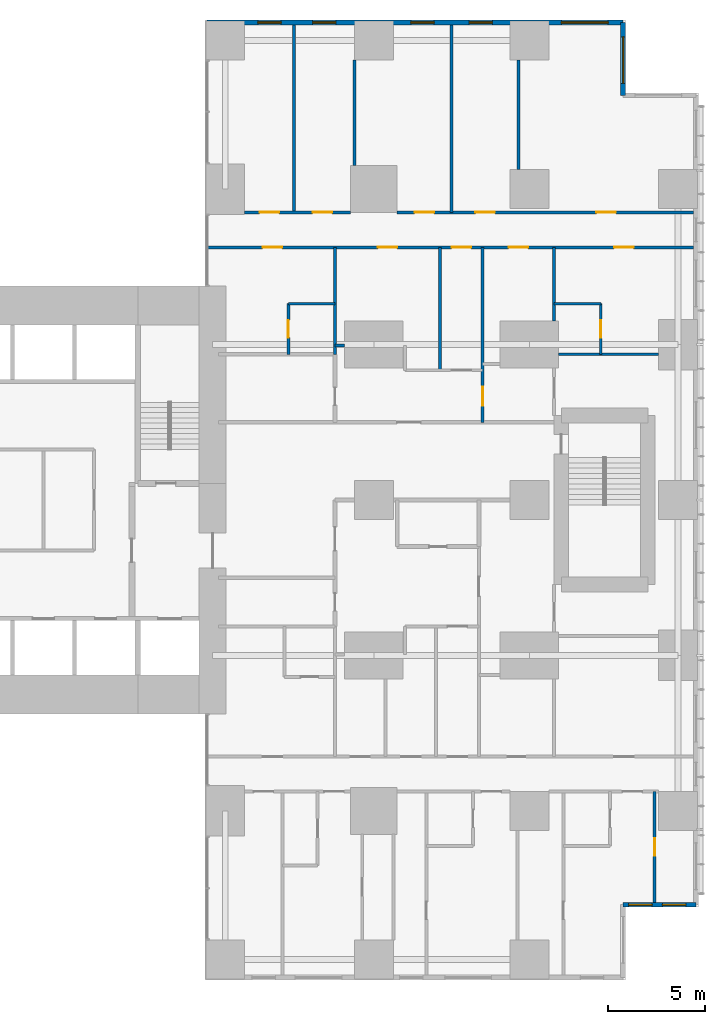
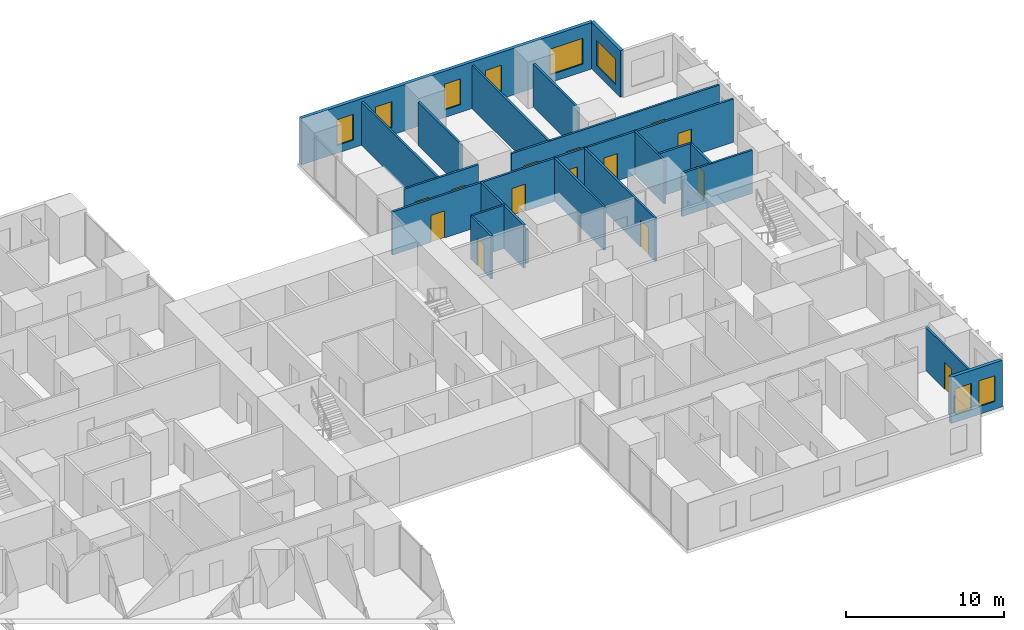
# One storey, part 18 of 20: 21 walls, 14 doors, 8 windows, 22 openings.
"""IFC4 building model written with IfcOpenShell, lengths in metres."""

from ifc_helpers import new_model, si_unit, direction, frame, frame_2d, origin, place, context, subcontext, project, spatial, rectangle, extrude, material, layer, layer_set, type_object, element, fill, save


model = new_model("IFC4")

# Units and contexts
model_context = context("Model", 3, precision=1e-05, world=origin(), true_north=direction((0.0, 1.0)))
body_context = subcontext(model_context, "Body", "Model", "MODEL_VIEW")
ifc_project = project(units=[si_unit("LENGTHUNIT", "METRE"), si_unit("AREAUNIT", "SQUARE_METRE"), si_unit("VOLUMEUNIT", "CUBIC_METRE"), si_unit("PLANEANGLEUNIT", "RADIAN"), si_unit("MASSUNIT", "GRAM", prefix="KILO")], contexts=[model_context])

# Site, building, storey
site_placement = place(None, origin())
site = spatial("IfcSite", under=ifc_project, at=site_placement, CompositionType="ELEMENT")
building_placement = place(site_placement, origin())
building = spatial("IfcBuilding", under=site, at=building_placement, Name="Cleftline Residences", CompositionType="ELEMENT")
storey_placement = place(building_placement, frame((0.0, 0.0, 54.800048828125)))
storey = spatial("IfcBuildingStorey", under=building, at=storey_placement, Name="L13", CompositionType="ELEMENT", Elevation=54.800048828125)

# Wall, openings, windows
ifc_material_1 = material(Name="Rendered reinforced concrete blockwork", Category="masonry")
ifc_layer_1 = layer(ifc_material_1, 0.25)
ifc_layer_set_1 = layer_set([ifc_layer_1], Name="EXTERNAL WALL 250")
wall_type_1 = type_object("IfcWallType", Name="EXTERNAL WALL 250", PredefinedType="SOLIDWALL", material=ifc_layer_set_1)
wall_1_placement = place(storey_placement, frame((62.824951171875, 3.175048828125, 0.0), z_axis=(0.0, 0.0, 1.0), x_axis=(1.0, 0.0, 0.0)))
wall_1 = element("IfcWall", 1, at=wall_1_placement, inside=storey, type_object=wall_type_1, Name="External wall", PredefinedType="SOLIDWALL", context=body_context, shape_type="SweptSolid", body=[
    extrude(rectangle(XDim=3.75, YDim=0.25, at=frame_2d((1.875, 0.0))), origin(), (0.0, 0.0, 1.0), 3.599853515625),
])
opening_1_placement = place(wall_1_placement, frame((0.28759765625, 0.0, 0.60009765625)))
opening_1 = element("IfcOpeningElement", 2, at=opening_1_placement, cuts=wall_1, Name="Opening W8", PredefinedType="OPENING", context=body_context, shape_type="SweptSolid", body=[
    extrude(rectangle(XDim=1.199951171875, YDim=2.0, at=frame_2d((0.60009765625, 1.0))), frame((0.0, 0.135009765625, 0.0), z_axis=(0.0, -1.0, 0.0), x_axis=(1.0, 0.0, 0.0)), (0.0, 0.0, 1.0), 0.27001953125),
])
opening_2_placement = place(wall_1_placement, frame((2.02490234375, 0.0, 0.60009765625)))
opening_2 = element("IfcOpeningElement", 3, at=opening_2_placement, cuts=wall_1, Name="Opening W8", PredefinedType="OPENING", context=body_context, shape_type="SweptSolid", body=[
    extrude(rectangle(XDim=1.199951171875, YDim=2.0, at=frame_2d((0.60009765625, 1.0))), frame((0.0, 0.135009765625, 0.0), z_axis=(0.0, -1.0, 0.0), x_axis=(1.0, 0.0, 0.0)), (0.0, 0.0, 1.0), 0.27001953125),
])
ifc_material_2 = material(Name="Aluminium frame, clear double glazing", Category="aluminium")
window_type_1 = type_object("IfcWindowType", Name="WINDOW 1200X2000", PartitioningType="DOUBLE_PANEL_VERTICAL", PredefinedType="WINDOW", material=ifc_material_2)
window_1_placement = place(opening_1_placement, origin())
window_1 = element("IfcWindow", 4, at=window_1_placement, inside=storey, type_object=window_type_1, Name="Window", OverallHeight=2.0, OverallWidth=1.199951171875, PartitioningType="SINGLE_PANEL", PredefinedType="WINDOW", context=body_context, shape_type="SweptSolid", body=[
    extrude(rectangle(XDim=1.199951171875, YDim=2.0, at=frame_2d((0.60009765625, 1.0))), frame((0.0, 0.030029296875, 0.0), z_axis=(0.0, -1.0, 0.0), x_axis=(1.0, 0.0, 0.0)), (0.0, 0.0, 1.0), 0.06005859375),
])
fill(opening_1, window_1)
window_2_placement = place(opening_2_placement, origin())
window_2 = element("IfcWindow", 5, at=window_2_placement, inside=storey, type_object=window_type_1, Name="Window", OverallHeight=2.0, OverallWidth=1.199951171875, PartitioningType="SINGLE_PANEL", PredefinedType="WINDOW", context=body_context, shape_type="SweptSolid", body=[
    extrude(rectangle(XDim=1.199951171875, YDim=2.0, at=frame_2d((0.60009765625, 1.0))), frame((0.0, 0.030029296875, 0.0), z_axis=(0.0, -1.0, 0.0), x_axis=(1.0, 0.0, 0.0)), (0.0, 0.0, 1.0), 0.06005859375),
])
fill(opening_2, window_2)

# Wall, opening, window
wall_2_placement = place(storey_placement, frame((62.824951171875, 44.824951171875, 0.0), z_axis=(0.0, 0.0, 1.0), x_axis=(0.0, 1.0, 0.0)))
wall_2 = element("IfcWall", 6, at=wall_2_placement, inside=storey, type_object=wall_type_1, Name="External wall", PredefinedType="SOLIDWALL", context=body_context, shape_type="SweptSolid", body=[
    extrude(rectangle(XDim=3.75, YDim=0.25, at=frame_2d((1.875, 0.0))), origin(), (0.0, 0.0, 1.0), 3.599853515625),
])
opening_3_placement = place(wall_2_placement, frame((0.612548828125, 0.0, 0.60009765625)))
opening_3 = element("IfcOpeningElement", 7, at=opening_3_placement, cuts=wall_2, Name="Opening W6", PredefinedType="OPENING", context=body_context, shape_type="SweptSolid", body=[
    extrude(rectangle(XDim=2.39990234375, YDim=2.0, at=frame_2d((1.199951171875, 1.0))), frame((0.0, 0.135009765625, 0.0), z_axis=(0.0, -1.0, 0.0), x_axis=(1.0, 0.0, 0.0)), (0.0, 0.0, 1.0), 0.27001953125),
])
ifc_material_3 = material(Name="Aluminium frame, clear double glazing", Category="aluminium")
window_type_2 = type_object("IfcWindowType", Name="WINDOW 2400X2000", PartitioningType="DOUBLE_PANEL_VERTICAL", PredefinedType="WINDOW", material=ifc_material_3)
window_3_placement = place(opening_3_placement, origin())
window_3 = element("IfcWindow", 8, at=window_3_placement, inside=storey, type_object=window_type_2, Name="Window", OverallHeight=2.0, OverallWidth=2.39990234375, PartitioningType="SINGLE_PANEL", PredefinedType="WINDOW", context=body_context, shape_type="SweptSolid", body=[
    extrude(rectangle(XDim=2.39990234375, YDim=2.0, at=frame_2d((1.199951171875, 1.0))), frame((0.0, 0.030029296875, 0.0), z_axis=(0.0, -1.0, 0.0), x_axis=(1.0, 0.0, 0.0)), (0.0, 0.0, 1.0), 0.06005859375),
])
fill(opening_3, window_3)

# Wall, openings, windows
wall_3_placement = place(storey_placement, frame((62.824951171875, 48.574951171875, 0.0), z_axis=(0.0, 0.0, 1.0), x_axis=(-1.0, 0.0, 0.0)))
wall_3 = element("IfcWall", 9, at=wall_3_placement, inside=storey, type_object=wall_type_1, Name="External wall", PredefinedType="SOLIDWALL", context=body_context, shape_type="SweptSolid", body=[
    extrude(rectangle(XDim=21.39990234375, YDim=0.25, at=frame_2d((10.699951171875, 0.0))), origin(), (0.0, 0.0, 1.0), 3.599853515625),
])
opening_4_placement = place(wall_3_placement, frame((0.77490234375, 0.0, 0.60009765625)))
opening_4 = element("IfcOpeningElement", 10, at=opening_4_placement, cuts=wall_3, Name="Opening W6", PredefinedType="OPENING", context=body_context, shape_type="SweptSolid", body=[
    extrude(rectangle(XDim=2.39990234375, YDim=2.0, at=frame_2d((1.199951171875, 1.0))), frame((0.0, 0.135009765625, 0.0), z_axis=(0.0, -1.0, 0.0), x_axis=(1.0, 0.0, 0.0)), (0.0, 0.0, 1.0), 0.27001953125),
])
opening_5_placement = place(wall_3_placement, frame((6.72509765625, 0.0, 0.60009765625)))
opening_5 = element("IfcOpeningElement", 11, at=opening_5_placement, cuts=wall_3, Name="Opening W8", PredefinedType="OPENING", context=body_context, shape_type="SweptSolid", body=[
    extrude(rectangle(XDim=1.199951171875, YDim=2.0, at=frame_2d((0.60009765625, 1.0))), frame((0.0, 0.135009765625, 0.0), z_axis=(0.0, -1.0, 0.0), x_axis=(1.0, 0.0, 0.0)), (0.0, 0.0, 1.0), 0.27001953125),
])
opening_6_placement = place(wall_3_placement, frame((9.72509765625, 0.0, 0.60009765625)))
opening_6 = element("IfcOpeningElement", 12, at=opening_6_placement, cuts=wall_3, Name="Opening W8", PredefinedType="OPENING", context=body_context, shape_type="SweptSolid", body=[
    extrude(rectangle(XDim=1.199951171875, YDim=2.0, at=frame_2d((0.60009765625, 1.0))), frame((0.0, 0.135009765625, 0.0), z_axis=(0.0, -1.0, 0.0), x_axis=(1.0, 0.0, 0.0)), (0.0, 0.0, 1.0), 0.27001953125),
])
opening_7_placement = place(wall_3_placement, frame((14.77490234375, 0.0, 0.60009765625)))
opening_7 = element("IfcOpeningElement", 13, at=opening_7_placement, cuts=wall_3, Name="Opening W8", PredefinedType="OPENING", context=body_context, shape_type="SweptSolid", body=[
    extrude(rectangle(XDim=1.199951171875, YDim=2.0, at=frame_2d((0.60009765625, 1.0))), frame((0.0, 0.135009765625, 0.0), z_axis=(0.0, -1.0, 0.0), x_axis=(1.0, 0.0, 0.0)), (0.0, 0.0, 1.0), 0.27001953125),
])
opening_8_placement = place(wall_3_placement, frame((17.60009765625, 0.0, 0.60009765625)))
opening_8 = element("IfcOpeningElement", 14, at=opening_8_placement, cuts=wall_3, Name="Opening W8", PredefinedType="OPENING", context=body_context, shape_type="SweptSolid", body=[
    extrude(rectangle(XDim=1.199951171875, YDim=2.0, at=frame_2d((0.60009765625, 1.0))), frame((0.0, 0.135009765625, 0.0), z_axis=(0.0, -1.0, 0.0), x_axis=(1.0, 0.0, 0.0)), (0.0, 0.0, 1.0), 0.27001953125),
])
window_4_placement = place(opening_5_placement, origin())
window_4 = element("IfcWindow", 15, at=window_4_placement, inside=storey, type_object=window_type_1, Name="Window", OverallHeight=2.0, OverallWidth=1.199951171875, PartitioningType="SINGLE_PANEL", PredefinedType="WINDOW", context=body_context, shape_type="SweptSolid", body=[
    extrude(rectangle(XDim=1.199951171875, YDim=2.0, at=frame_2d((0.60009765625, 1.0))), frame((0.0, 0.030029296875, 0.0), z_axis=(0.0, -1.0, 0.0), x_axis=(1.0, 0.0, 0.0)), (0.0, 0.0, 1.0), 0.06005859375),
])
fill(opening_5, window_4)
window_5_placement = place(opening_6_placement, origin())
window_5 = element("IfcWindow", 16, at=window_5_placement, inside=storey, type_object=window_type_1, Name="Window", OverallHeight=2.0, OverallWidth=1.199951171875, PartitioningType="SINGLE_PANEL", PredefinedType="WINDOW", context=body_context, shape_type="SweptSolid", body=[
    extrude(rectangle(XDim=1.199951171875, YDim=2.0, at=frame_2d((0.60009765625, 1.0))), frame((0.0, 0.030029296875, 0.0), z_axis=(0.0, -1.0, 0.0), x_axis=(1.0, 0.0, 0.0)), (0.0, 0.0, 1.0), 0.06005859375),
])
fill(opening_6, window_5)
window_6_placement = place(opening_7_placement, origin())
window_6 = element("IfcWindow", 17, at=window_6_placement, inside=storey, type_object=window_type_1, Name="Window", OverallHeight=2.0, OverallWidth=1.199951171875, PartitioningType="SINGLE_PANEL", PredefinedType="WINDOW", context=body_context, shape_type="SweptSolid", body=[
    extrude(rectangle(XDim=1.199951171875, YDim=2.0, at=frame_2d((0.60009765625, 1.0))), frame((0.0, 0.030029296875, 0.0), z_axis=(0.0, -1.0, 0.0), x_axis=(1.0, 0.0, 0.0)), (0.0, 0.0, 1.0), 0.06005859375),
])
fill(opening_7, window_6)
window_7_placement = place(opening_8_placement, origin())
window_7 = element("IfcWindow", 18, at=window_7_placement, inside=storey, type_object=window_type_1, Name="Window", OverallHeight=2.0, OverallWidth=1.199951171875, PartitioningType="SINGLE_PANEL", PredefinedType="WINDOW", context=body_context, shape_type="SweptSolid", body=[
    extrude(rectangle(XDim=1.199951171875, YDim=2.0, at=frame_2d((0.60009765625, 1.0))), frame((0.0, 0.030029296875, 0.0), z_axis=(0.0, -1.0, 0.0), x_axis=(1.0, 0.0, 0.0)), (0.0, 0.0, 1.0), 0.06005859375),
])
fill(opening_8, window_7)
window_8_placement = place(opening_4_placement, origin())
window_8 = element("IfcWindow", 19, at=window_8_placement, inside=storey, type_object=window_type_2, Name="Window", OverallHeight=2.0, OverallWidth=2.39990234375, PartitioningType="SINGLE_PANEL", PredefinedType="WINDOW", context=body_context, shape_type="SweptSolid", body=[
    extrude(rectangle(XDim=2.39990234375, YDim=2.0, at=frame_2d((1.199951171875, 1.0))), frame((0.0, 0.030029296875, 0.0), z_axis=(0.0, -1.0, 0.0), x_axis=(1.0, 0.0, 0.0)), (0.0, 0.0, 1.0), 0.06005859375),
])
fill(opening_4, window_8)

# Walls
ifc_material_4 = material(Name="Gypsum board on steel studs", Category="steel")
ifc_layer_2 = layer(ifc_material_4, 0.14990234375)
ifc_layer_set_2 = layer_set([ifc_layer_2], Name="PARTITION 150")
wall_type_2 = type_object("IfcWallType", Name="PARTITION 150", PredefinedType="PARTITIONING", material=ifc_layer_set_2)
wall_4_placement = place(storey_placement, frame((59.5, 31.5, 0.0), z_axis=(0.0, 0.0, 1.0), x_axis=(1.0, 0.0, 0.0)))
element("IfcWall", 20, at=wall_4_placement, inside=storey, type_object=wall_type_2, Name="Partition", PredefinedType="PARTITIONING", context=body_context, shape_type="SweptSolid", body=[
    extrude(rectangle(XDim=5.14990234375, YDim=0.14990234375, at=frame_2d((2.574951171875, 0.0))), origin(), (0.0, 0.0, 1.0), 3.349853515625),
])
wall_5_placement = place(storey_placement, frame((48.0, 31.949951171875, 0.0), z_axis=(0.0, 0.0, 1.0), x_axis=(1.0, 0.0, 0.0)))
element("IfcWall", 21, at=wall_5_placement, inside=storey, type_object=wall_type_2, Name="Partition", PredefinedType="PARTITIONING", context=body_context, shape_type="SweptSolid", body=[
    extrude(rectangle(XDim=0.5, YDim=0.14990234375, at=frame_2d((0.25, 0.0))), origin(), (0.0, 0.0, 1.0), 2.634033203125),
])
wall_6_placement = place(storey_placement, frame((45.60009765625, 34.10009765625, 0.0), z_axis=(0.0, 0.0, 1.0), x_axis=(1.0, 0.0, 0.0)))
element("IfcWall", 22, at=wall_6_placement, inside=storey, type_object=wall_type_2, Name="Partition", PredefinedType="PARTITIONING", context=body_context, shape_type="SweptSolid", body=[
    extrude(rectangle(XDim=2.39990234375, YDim=0.14990234375, at=frame_2d((1.199951171875, 0.0))), origin(), (0.0, 0.0, 1.0), 3.349853515625),
])
wall_7_placement = place(storey_placement, frame((59.27490234375, 34.10009765625, 0.0), z_axis=(0.0, 0.0, 1.0), x_axis=(1.0, 0.0, 0.0)))
element("IfcWall", 23, at=wall_7_placement, inside=storey, type_object=wall_type_2, Name="Partition", PredefinedType="PARTITIONING", context=body_context, shape_type="SweptSolid", body=[
    extrude(rectangle(XDim=2.400146484375, YDim=0.14990234375, at=frame_2d((1.2001953125, 0.0))), origin(), (0.0, 0.0, 1.0), 3.349853515625),
])

# Wall, openings, doors
wall_8_placement = place(storey_placement, frame((41.43896484375, 37.0, 0.0), z_axis=(0.0, 0.0, 1.0), x_axis=(1.0, 0.0, 0.0)))
wall_8 = element("IfcWall", 24, at=wall_8_placement, inside=storey, type_object=wall_type_2, Name="Partition", PredefinedType="PARTITIONING", context=body_context, shape_type="SweptSolid", body=[
    extrude(rectangle(XDim=25.010986328125, YDim=0.14990234375, at=frame_2d((12.50537109375, 0.0))), origin(), (0.0, 0.0, 1.0), 3.349853515625),
])
opening_9_placement = place(wall_8_placement, frame((12.56103515625, 0.0, 0.0)))
opening_9 = element("IfcOpeningElement", 25, at=opening_9_placement, cuts=wall_8, Name="Opening D2", PredefinedType="OPENING", context=body_context, shape_type="SweptSolid", body=[
    extrude(rectangle(XDim=1.0, YDim=2.10009765625, at=frame_2d((0.5, 1.050048828125))), frame((0.0, 0.0849609375, 0.0), z_axis=(0.0, -1.0, 0.0), x_axis=(1.0, 0.0, 0.0)), (0.0, 0.0, 1.0), 0.169921875),
])
opening_10_placement = place(wall_8_placement, frame((20.923583984375, 0.0, 0.0)))
opening_10 = element("IfcOpeningElement", 26, at=opening_10_placement, cuts=wall_8, Name="Opening D2", PredefinedType="OPENING", context=body_context, shape_type="SweptSolid", body=[
    extrude(rectangle(XDim=1.0, YDim=2.10009765625, at=frame_2d((0.5, 1.050048828125))), frame((0.0, 0.0849609375, 0.0), z_axis=(0.0, -1.0, 0.0), x_axis=(1.0, 0.0, 0.0)), (0.0, 0.0, 1.0), 0.169921875),
])
opening_11_placement = place(wall_8_placement, frame((15.49853515625, 0.0, 0.0)))
opening_11 = element("IfcOpeningElement", 27, at=opening_11_placement, cuts=wall_8, Name="Opening D2", PredefinedType="OPENING", context=body_context, shape_type="SweptSolid", body=[
    extrude(rectangle(XDim=1.0, YDim=2.10009765625, at=frame_2d((0.5, 1.050048828125))), frame((0.0, 0.0849609375, 0.0), z_axis=(0.0, -1.0, 0.0), x_axis=(1.0, 0.0, 0.0)), (0.0, 0.0, 1.0), 0.169921875),
])
opening_12_placement = place(wall_8_placement, frame((8.760986328125, 0.0, 0.0)))
opening_12 = element("IfcOpeningElement", 28, at=opening_12_placement, cuts=wall_8, Name="Opening D2", PredefinedType="OPENING", context=body_context, shape_type="SweptSolid", body=[
    extrude(rectangle(XDim=1.0, YDim=2.10009765625, at=frame_2d((0.5, 1.050048828125))), frame((0.0, 0.0849609375, 0.0), z_axis=(0.0, -1.0, 0.0), x_axis=(1.0, 0.0, 0.0)), (0.0, 0.0, 1.0), 0.169921875),
])
opening_13_placement = place(wall_8_placement, frame((2.8359375, 0.0, 0.0)))
opening_13 = element("IfcOpeningElement", 29, at=opening_13_placement, cuts=wall_8, Name="Opening D2", PredefinedType="OPENING", context=body_context, shape_type="SweptSolid", body=[
    extrude(rectangle(XDim=1.0, YDim=2.10009765625, at=frame_2d((0.5, 1.050048828125))), frame((0.0, 0.0849609375, 0.0), z_axis=(0.0, -1.0, 0.0), x_axis=(1.0, 0.0, 0.0)), (0.0, 0.0, 1.0), 0.169921875),
])
ifc_material_5 = material(Name="Timber veneer on solid core", Category="wood")
door_type_1 = type_object("IfcDoorType", Name="DOOR 1000X2100", OperationType="SINGLE_SWING_LEFT", PredefinedType="DOOR", material=ifc_material_5)
door_1_placement = place(opening_9_placement, origin())
door_1 = element("IfcDoor", 30, at=door_1_placement, inside=storey, type_object=door_type_1, Name="Door to residence hall", OperationType="SINGLE_SWING_LEFT", OverallHeight=2.10009765625, OverallWidth=1.0, PredefinedType="DOOR", context=body_context, shape_type="SweptSolid", body=[
    extrude(rectangle(XDim=1.0, YDim=2.10009765625, at=frame_2d((0.5, 1.050048828125))), frame((0.0, 0.02490234375, 0.0), z_axis=(0.0, -1.0, 0.0), x_axis=(1.0, 0.0, 0.0)), (0.0, 0.0, 1.0), 0.050048828125),
])
fill(opening_9, door_1)
door_2_placement = place(opening_10_placement, origin())
door_2 = element("IfcDoor", 31, at=door_2_placement, inside=storey, type_object=door_type_1, Name="Door to master bedroom", OperationType="SINGLE_SWING_LEFT", OverallHeight=2.10009765625, OverallWidth=1.0, PredefinedType="DOOR", context=body_context, shape_type="SweptSolid", body=[
    extrude(rectangle(XDim=1.0, YDim=2.10009765625, at=frame_2d((0.5, 1.050048828125))), frame((0.0, 0.02490234375, 0.0), z_axis=(0.0, -1.0, 0.0), x_axis=(1.0, 0.0, 0.0)), (0.0, 0.0, 1.0), 0.050048828125),
])
fill(opening_10, door_2)
door_3_placement = place(opening_11_placement, origin())
door_3 = element("IfcDoor", 32, at=door_3_placement, inside=storey, type_object=door_type_1, Name="Door to wet kitchen", OperationType="SINGLE_SWING_LEFT", OverallHeight=2.10009765625, OverallWidth=1.0, PredefinedType="DOOR", context=body_context, shape_type="SweptSolid", body=[
    extrude(rectangle(XDim=1.0, YDim=2.10009765625, at=frame_2d((0.5, 1.050048828125))), frame((0.0, 0.02490234375, 0.0), z_axis=(0.0, -1.0, 0.0), x_axis=(1.0, 0.0, 0.0)), (0.0, 0.0, 1.0), 0.050048828125),
])
fill(opening_11, door_3)
door_4_placement = place(opening_12_placement, origin())
door_4 = element("IfcDoor", 33, at=door_4_placement, inside=storey, type_object=door_type_1, Name="Door to family room", OperationType="SINGLE_SWING_RIGHT", OverallHeight=2.10009765625, OverallWidth=1.0, PredefinedType="DOOR", context=body_context, shape_type="SweptSolid", body=[
    extrude(rectangle(XDim=1.0, YDim=2.10009765625, at=frame_2d((0.5, 1.050048828125))), frame((0.0, 0.02490234375, 0.0), z_axis=(0.0, -1.0, 0.0), x_axis=(1.0, 0.0, 0.0)), (0.0, 0.0, 1.0), 0.050048828125),
])
fill(opening_12, door_4)
door_5_placement = place(opening_13_placement, origin())
door_5 = element("IfcDoor", 34, at=door_5_placement, inside=storey, type_object=door_type_1, Name="Door to bedroom 2", OperationType="SINGLE_SWING_RIGHT", OverallHeight=2.10009765625, OverallWidth=1.0, PredefinedType="DOOR", context=body_context, shape_type="SweptSolid", body=[
    extrude(rectangle(XDim=1.0, YDim=2.10009765625, at=frame_2d((0.5, 1.050048828125))), frame((0.0, 0.02490234375, 0.0), z_axis=(0.0, -1.0, 0.0), x_axis=(1.0, 0.0, 0.0)), (0.0, 0.0, 1.0), 0.050048828125),
])
fill(opening_13, door_5)

wall_9_placement = place(storey_placement, frame((43.35009765625, 38.800048828125, 0.0), z_axis=(0.0, 0.0, 1.0), x_axis=(1.0, 0.0, 0.0)))
wall_9 = element("IfcWall", 35, at=wall_9_placement, inside=storey, type_object=wall_type_2, Name="Partition", PredefinedType="PARTITIONING", context=body_context, shape_type="SweptSolid", body=[
    extrude(rectangle(XDim=5.449951171875, YDim=0.14990234375, at=frame_2d((2.72509765625, 0.0))), origin(), (0.0, 0.0, 1.0), 3.349853515625),
])
opening_14_placement = place(wall_9_placement, frame((3.5, 0.0, 0.0)))
opening_14 = element("IfcOpeningElement", 36, at=opening_14_placement, cuts=wall_9, Name="Opening D2", PredefinedType="OPENING", context=body_context, shape_type="SweptSolid", body=[
    extrude(rectangle(XDim=1.0, YDim=2.10009765625, at=frame_2d((0.5, 1.050048828125))), frame((0.0, 0.0849609375, 0.0), z_axis=(0.0, -1.0, 0.0), x_axis=(1.0, 0.0, 0.0)), (0.0, 0.0, 1.0), 0.169921875),
])
opening_15_placement = place(wall_9_placement, frame((0.77490234375, 0.0, 0.0)))
opening_15 = element("IfcOpeningElement", 37, at=opening_15_placement, cuts=wall_9, Name="Opening D2", PredefinedType="OPENING", context=body_context, shape_type="SweptSolid", body=[
    extrude(rectangle(XDim=1.0, YDim=2.10009765625, at=frame_2d((0.5, 1.050048828125))), frame((0.0, 0.0849609375, 0.0), z_axis=(0.0, -1.0, 0.0), x_axis=(1.0, 0.0, 0.0)), (0.0, 0.0, 1.0), 0.169921875),
])
door_6_placement = place(opening_14_placement, origin())
door_6 = element("IfcDoor", 38, at=door_6_placement, inside=storey, type_object=door_type_1, Name="Door to family dining room", OperationType="SINGLE_SWING_LEFT", OverallHeight=2.10009765625, OverallWidth=1.0, PredefinedType="DOOR", context=body_context, shape_type="SweptSolid", body=[
    extrude(rectangle(XDim=1.0, YDim=2.10009765625, at=frame_2d((0.5, 1.050048828125))), frame((0.0, 0.02490234375, 0.0), z_axis=(0.0, -1.0, 0.0), x_axis=(1.0, 0.0, 0.0)), (0.0, 0.0, 1.0), 0.050048828125),
])
fill(opening_14, door_6)
door_7_placement = place(opening_15_placement, origin())
door_7 = element("IfcDoor", 39, at=door_7_placement, inside=storey, type_object=door_type_1, Name="Door to show kitchen", OperationType="SINGLE_SWING_RIGHT", OverallHeight=2.10009765625, OverallWidth=1.0, PredefinedType="DOOR", context=body_context, shape_type="SweptSolid", body=[
    extrude(rectangle(XDim=1.0, YDim=2.10009765625, at=frame_2d((0.5, 1.050048828125))), frame((0.0, 0.02490234375, 0.0), z_axis=(0.0, -1.0, 0.0), x_axis=(1.0, 0.0, 0.0)), (0.0, 0.0, 1.0), 0.050048828125),
])
fill(opening_15, door_7)

wall_10_placement = place(storey_placement, frame((51.199951171875, 38.800048828125, 0.0), z_axis=(0.0, 0.0, 1.0), x_axis=(1.0, 0.0, 0.0)))
wall_10 = element("IfcWall", 40, at=wall_10_placement, inside=storey, type_object=wall_type_2, Name="Partition", PredefinedType="PARTITIONING", context=body_context, shape_type="SweptSolid", body=[
    extrude(rectangle(XDim=15.25, YDim=0.14990234375, at=frame_2d((7.625, 0.0))), origin(), (0.0, 0.0, 1.0), 3.349853515625),
])
opening_16_placement = place(wall_10_placement, frame((10.25, 0.0, 0.0)))
opening_16 = element("IfcOpeningElement", 41, at=opening_16_placement, cuts=wall_10, Name="Opening D2", PredefinedType="OPENING", context=body_context, shape_type="SweptSolid", body=[
    extrude(rectangle(XDim=1.0, YDim=2.10009765625, at=frame_2d((0.5, 1.050048828125))), frame((0.0, 0.0849609375, 0.0), z_axis=(0.0, -1.0, 0.0), x_axis=(1.0, 0.0, 0.0)), (0.0, 0.0, 1.0), 0.169921875),
])
opening_17_placement = place(wall_10_placement, frame((4.02490234375, 0.0, 0.0)))
opening_17 = element("IfcOpeningElement", 42, at=opening_17_placement, cuts=wall_10, Name="Opening D2", PredefinedType="OPENING", context=body_context, shape_type="SweptSolid", body=[
    extrude(rectangle(XDim=1.0, YDim=2.10009765625, at=frame_2d((0.5, 1.050048828125))), frame((0.0, 0.0849609375, 0.0), z_axis=(0.0, -1.0, 0.0), x_axis=(1.0, 0.0, 0.0)), (0.0, 0.0, 1.0), 0.169921875),
])
opening_18_placement = place(wall_10_placement, frame((0.89990234375, 0.0, 0.0)))
opening_18 = element("IfcOpeningElement", 43, at=opening_18_placement, cuts=wall_10, Name="Opening D2", PredefinedType="OPENING", context=body_context, shape_type="SweptSolid", body=[
    extrude(rectangle(XDim=1.0, YDim=2.10009765625, at=frame_2d((0.5, 1.050048828125))), frame((0.0, 0.0849609375, 0.0), z_axis=(0.0, -1.0, 0.0), x_axis=(1.0, 0.0, 0.0)), (0.0, 0.0, 1.0), 0.169921875),
])
door_8_placement = place(opening_16_placement, origin())
door_8 = element("IfcDoor", 44, at=door_8_placement, inside=storey, type_object=door_type_1, Name="Door to sea-view lounge", OperationType="SINGLE_SWING_LEFT", OverallHeight=2.10009765625, OverallWidth=1.0, PredefinedType="DOOR", context=body_context, shape_type="SweptSolid", body=[
    extrude(rectangle(XDim=1.0, YDim=2.10009765625, at=frame_2d((0.5, 1.050048828125))), frame((0.0, 0.02490234375, 0.0), z_axis=(0.0, -1.0, 0.0), x_axis=(1.0, 0.0, 0.0)), (0.0, 0.0, 1.0), 0.050048828125),
])
fill(opening_16, door_8)
door_9_placement = place(opening_17_placement, origin())
door_9 = element("IfcDoor", 45, at=door_9_placement, inside=storey, type_object=door_type_1, Name="Door to library", OperationType="SINGLE_SWING_RIGHT", OverallHeight=2.10009765625, OverallWidth=1.0, PredefinedType="DOOR", context=body_context, shape_type="SweptSolid", body=[
    extrude(rectangle(XDim=1.0, YDim=2.10009765625, at=frame_2d((0.5, 1.050048828125))), frame((0.0, 0.02490234375, 0.0), z_axis=(0.0, -1.0, 0.0), x_axis=(1.0, 0.0, 0.0)), (0.0, 0.0, 1.0), 0.050048828125),
])
fill(opening_17, door_9)
door_10_placement = place(opening_18_placement, origin())
door_10 = element("IfcDoor", 46, at=door_10_placement, inside=storey, type_object=door_type_1, Name="Door to dining room", OperationType="SINGLE_SWING_RIGHT", OverallHeight=2.10009765625, OverallWidth=1.0, PredefinedType="DOOR", context=body_context, shape_type="SweptSolid", body=[
    extrude(rectangle(XDim=1.0, YDim=2.10009765625, at=frame_2d((0.5, 1.050048828125))), frame((0.0, 0.02490234375, 0.0), z_axis=(0.0, -1.0, 0.0), x_axis=(1.0, 0.0, 0.0)), (0.0, 0.0, 1.0), 0.050048828125),
])
fill(opening_18, door_10)

# Wall, opening, door
wall_11_placement = place(storey_placement, frame((45.60009765625, 31.5, 0.0), z_axis=(0.0, 0.0, 1.0), x_axis=(0.0, 1.0, 0.0)))
wall_11 = element("IfcWall", 47, at=wall_11_placement, inside=storey, type_object=wall_type_2, Name="Partition", PredefinedType="PARTITIONING", context=body_context, shape_type="SweptSolid", body=[
    extrude(rectangle(XDim=2.60009765625, YDim=0.14990234375, at=frame_2d((1.300048828125, 0.0))), origin(), (0.0, 0.0, 1.0), 3.349853515625),
])
opening_19_placement = place(wall_11_placement, frame((0.85009765625, 0.0, 0.0)))
opening_19 = element("IfcOpeningElement", 48, at=opening_19_placement, cuts=wall_11, Name="Opening D1", PredefinedType="OPENING", context=body_context, shape_type="SweptSolid", body=[
    extrude(rectangle(XDim=0.89990234375, YDim=2.10009765625, at=frame_2d((0.449951171875, 1.050048828125))), frame((0.0, 0.0849609375, 0.0), z_axis=(0.0, -1.0, 0.0), x_axis=(1.0, 0.0, 0.0)), (0.0, 0.0, 1.0), 0.169921875),
])
ifc_material_6 = material(Name="Timber veneer on solid core", Category="wood")
door_type_2 = type_object("IfcDoorType", Name="DOOR 900X2100", OperationType="SINGLE_SWING_LEFT", PredefinedType="DOOR", material=ifc_material_6)
door_11_placement = place(opening_19_placement, origin())
door_11 = element("IfcDoor", 49, at=door_11_placement, inside=storey, type_object=door_type_2, Name="Door to en-suite bathroom 2", OperationType="SINGLE_SWING_LEFT", OverallHeight=2.10009765625, OverallWidth=0.89990234375, PredefinedType="DOOR", context=body_context, shape_type="SweptSolid", body=[
    extrude(rectangle(XDim=0.89990234375, YDim=2.10009765625, at=frame_2d((0.449951171875, 1.050048828125))), frame((0.0, 0.02490234375, 0.0), z_axis=(0.0, -1.0, 0.0), x_axis=(1.0, 0.0, 0.0)), (0.0, 0.0, 1.0), 0.050048828125),
])
fill(opening_19, door_11)

# Walls
wall_12_placement = place(storey_placement, frame((45.89990234375, 38.800048828125, 0.0), z_axis=(0.0, 0.0, 1.0), x_axis=(0.0, 1.0, 0.0)))
element("IfcWall", 50, at=wall_12_placement, inside=storey, type_object=wall_type_2, Name="Partition", PredefinedType="PARTITIONING", context=body_context, shape_type="SweptSolid", body=[
    extrude(rectangle(XDim=9.64990234375, YDim=0.14990234375, at=frame_2d((4.824951171875, 0.0))), origin(), (0.0, 0.0, 1.0), 3.349853515625),
])
wall_13_placement = place(storey_placement, frame((48.0, 31.5, 0.0), z_axis=(0.0, 0.0, 1.0), x_axis=(0.0, 1.0, 0.0)))
element("IfcWall", 51, at=wall_13_placement, inside=storey, type_object=wall_type_2, Name="Partition", PredefinedType="PARTITIONING", context=body_context, shape_type="SweptSolid", body=[
    extrude(rectangle(XDim=5.5, YDim=0.14990234375, at=frame_2d((2.75, 0.0))), origin(), (0.0, 0.0, 1.0), 3.349853515625),
])
wall_14_placement = place(storey_placement, frame((49.0, 41.199951171875, 0.0), z_axis=(0.0, 0.0, 1.0), x_axis=(0.0, 1.0, 0.0)))
element("IfcWall", 52, at=wall_14_placement, inside=storey, type_object=wall_type_2, Name="Partition", PredefinedType="PARTITIONING", context=body_context, shape_type="SweptSolid", body=[
    extrude(rectangle(XDim=5.449951171875, YDim=0.14990234375, at=frame_2d((2.72509765625, 0.0))), origin(), (0.0, 0.0, 1.0), 3.349853515625),
])
wall_15_placement = place(storey_placement, frame((53.39990234375, 30.675048828125, 0.0), z_axis=(0.0, 0.0, 1.0), x_axis=(0.0, 1.0, 0.0)))
element("IfcWall", 53, at=wall_15_placement, inside=storey, type_object=wall_type_2, Name="Partition", PredefinedType="PARTITIONING", context=body_context, shape_type="SweptSolid", body=[
    extrude(rectangle(XDim=6.324951171875, YDim=0.14990234375, at=frame_2d((3.16259765625, 0.0))), origin(), (0.0, 0.0, 1.0), 3.349853515625),
])
wall_16_placement = place(storey_placement, frame((54.0, 38.800048828125, 0.0), z_axis=(0.0, 0.0, 1.0), x_axis=(0.0, 1.0, 0.0)))
element("IfcWall", 54, at=wall_16_placement, inside=storey, type_object=wall_type_2, Name="Partition", PredefinedType="PARTITIONING", context=body_context, shape_type="SweptSolid", body=[
    extrude(rectangle(XDim=9.64990234375, YDim=0.14990234375, at=frame_2d((4.824951171875, 0.0))), origin(), (0.0, 0.0, 1.0), 3.349853515625),
])

# Wall, opening, door
wall_17_placement = place(storey_placement, frame((55.60009765625, 28.0, 0.0), z_axis=(0.0, 0.0, 1.0), x_axis=(0.0, 1.0, 0.0)))
wall_17 = element("IfcWall", 55, at=wall_17_placement, inside=storey, type_object=wall_type_2, Name="Partition", PredefinedType="PARTITIONING", context=body_context, shape_type="SweptSolid", body=[
    extrude(rectangle(XDim=9.0, YDim=0.14990234375, at=frame_2d((4.5, 0.0))), origin(), (0.0, 0.0, 1.0), 3.349853515625),
])
opening_20_placement = place(wall_17_placement, frame((0.83740234375, 0.0, 0.0)))
opening_20 = element("IfcOpeningElement", 56, at=opening_20_placement, cuts=wall_17, Name="Opening D2F30", PredefinedType="OPENING", context=body_context, shape_type="SweptSolid", body=[
    extrude(rectangle(XDim=1.0, YDim=2.10009765625, at=frame_2d((0.5, 1.050048828125))), frame((0.0, 0.0849609375, 0.0), z_axis=(0.0, -1.0, 0.0), x_axis=(1.0, 0.0, 0.0)), (0.0, 0.0, 1.0), 0.169921875),
])
ifc_material_7 = material(Name="Timber veneer on solid core", Category="wood")
door_type_3 = type_object("IfcDoorType", Name="DOOR 1000X2100 EI 30", OperationType="SINGLE_SWING_LEFT", PredefinedType="DOOR", material=ifc_material_7)
door_12_placement = place(opening_20_placement, origin())
door_12 = element("IfcDoor", 57, at=door_12_placement, inside=storey, type_object=door_type_3, Name="Door to residence lobby", OperationType="SINGLE_SWING_RIGHT", OverallHeight=2.10009765625, OverallWidth=1.0, PredefinedType="DOOR", context=body_context, shape_type="SweptSolid", body=[
    extrude(rectangle(XDim=1.0, YDim=2.10009765625, at=frame_2d((0.5, 1.050048828125))), frame((0.0, 0.02490234375, 0.0), z_axis=(0.0, -1.0, 0.0), x_axis=(1.0, 0.0, 0.0)), (0.0, 0.0, 1.0), 0.050048828125),
])
fill(opening_20, door_12)

# Walls
wall_18_placement = place(storey_placement, frame((57.449951171875, 41.0, 0.0), z_axis=(0.0, 0.0, 1.0), x_axis=(0.0, 1.0, 0.0)))
element("IfcWall", 58, at=wall_18_placement, inside=storey, type_object=wall_type_2, Name="Partition", PredefinedType="PARTITIONING", context=body_context, shape_type="SweptSolid", body=[
    extrude(rectangle(XDim=5.64990234375, YDim=0.14990234375, at=frame_2d((2.824951171875, 0.0))), origin(), (0.0, 0.0, 1.0), 3.349853515625),
])
wall_19_placement = place(storey_placement, frame((59.27490234375, 33.199951171875, 0.0), z_axis=(0.0, 0.0, 1.0), x_axis=(0.0, 1.0, 0.0)))
element("IfcWall", 59, at=wall_19_placement, inside=storey, type_object=wall_type_2, Name="Partition", PredefinedType="PARTITIONING", context=body_context, shape_type="SweptSolid", body=[
    extrude(rectangle(XDim=3.800048828125, YDim=0.14990234375, at=frame_2d((1.89990234375, 0.0))), origin(), (0.0, 0.0, 1.0), 3.349853515625),
])

# Wall, opening, door
wall_20_placement = place(storey_placement, frame((61.675048828125, 31.5, 0.0), z_axis=(0.0, 0.0, 1.0), x_axis=(0.0, 1.0, 0.0)))
wall_20 = element("IfcWall", 60, at=wall_20_placement, inside=storey, type_object=wall_type_2, Name="Partition", PredefinedType="PARTITIONING", context=body_context, shape_type="SweptSolid", body=[
    extrude(rectangle(XDim=2.60009765625, YDim=0.14990234375, at=frame_2d((1.300048828125, 0.0))), origin(), (0.0, 0.0, 1.0), 3.349853515625),
])
opening_21_placement = place(wall_20_placement, frame((0.85009765625, 0.0, 0.0)))
opening_21 = element("IfcOpeningElement", 61, at=opening_21_placement, cuts=wall_20, Name="Opening D1", PredefinedType="OPENING", context=body_context, shape_type="SweptSolid", body=[
    extrude(rectangle(XDim=0.89990234375, YDim=2.10009765625, at=frame_2d((0.449951171875, 1.050048828125))), frame((0.0, 0.0849609375, 0.0), z_axis=(0.0, -1.0, 0.0), x_axis=(1.0, 0.0, 0.0)), (0.0, 0.0, 1.0), 0.169921875),
])
door_13_placement = place(opening_21_placement, origin())
door_13 = element("IfcDoor", 62, at=door_13_placement, inside=storey, type_object=door_type_2, Name="Door to master bathroom", OperationType="SINGLE_SWING_LEFT", OverallHeight=2.10009765625, OverallWidth=0.89990234375, PredefinedType="DOOR", context=body_context, shape_type="SweptSolid", body=[
    extrude(rectangle(XDim=0.89990234375, YDim=2.10009765625, at=frame_2d((0.449951171875, 1.050048828125))), frame((0.0, 0.02490234375, 0.0), z_axis=(0.0, -1.0, 0.0), x_axis=(1.0, 0.0, 0.0)), (0.0, 0.0, 1.0), 0.050048828125),
])
fill(opening_21, door_13)

wall_21_placement = place(storey_placement, frame((64.449951171875, 3.300048828125, 0.0), z_axis=(0.0, 0.0, 1.0), x_axis=(0.0, 1.0, 0.0)))
wall_21 = element("IfcWall", 63, at=wall_21_placement, inside=storey, type_object=wall_type_2, Name="Partition", PredefinedType="PARTITIONING", context=body_context, shape_type="SweptSolid", body=[
    extrude(rectangle(XDim=5.699951171875, YDim=0.14990234375, at=frame_2d((2.85009765625, 0.0))), origin(), (0.0, 0.0, 1.0), 3.349853515625),
])
opening_22_placement = place(wall_21_placement, frame((2.39990234375, 0.0, 0.0)))
opening_22 = element("IfcOpeningElement", 64, at=opening_22_placement, cuts=wall_21, Name="Opening D1", PredefinedType="OPENING", context=body_context, shape_type="SweptSolid", body=[
    extrude(rectangle(XDim=0.89990234375, YDim=2.10009765625, at=frame_2d((0.449951171875, 1.050048828125))), frame((0.0, 0.0849609375, 0.0), z_axis=(0.0, -1.0, 0.0), x_axis=(1.0, 0.0, 0.0)), (0.0, 0.0, 1.0), 0.169921875),
])
door_14_placement = place(opening_22_placement, origin())
door_14 = element("IfcDoor", 65, at=door_14_placement, inside=storey, type_object=door_type_2, Name="Door to walk-in wardrobe", OperationType="SINGLE_SWING_LEFT", OverallHeight=2.10009765625, OverallWidth=0.89990234375, PredefinedType="DOOR", context=body_context, shape_type="SweptSolid", body=[
    extrude(rectangle(XDim=0.89990234375, YDim=2.10009765625, at=frame_2d((0.449951171875, 1.050048828125))), frame((0.0, 0.02490234375, 0.0), z_axis=(0.0, -1.0, 0.0), x_axis=(1.0, 0.0, 0.0)), (0.0, 0.0, 1.0), 0.050048828125),
])
fill(opening_22, door_14)

save(model, "model.ifc")
